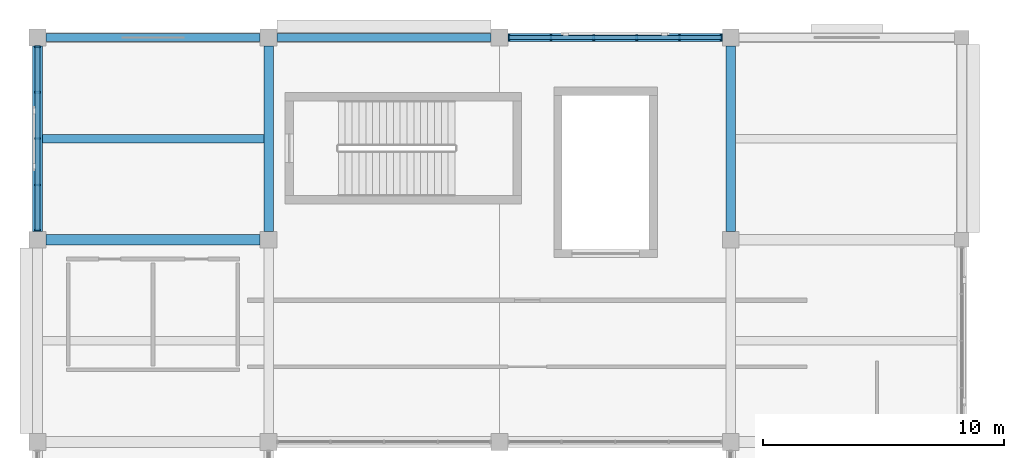
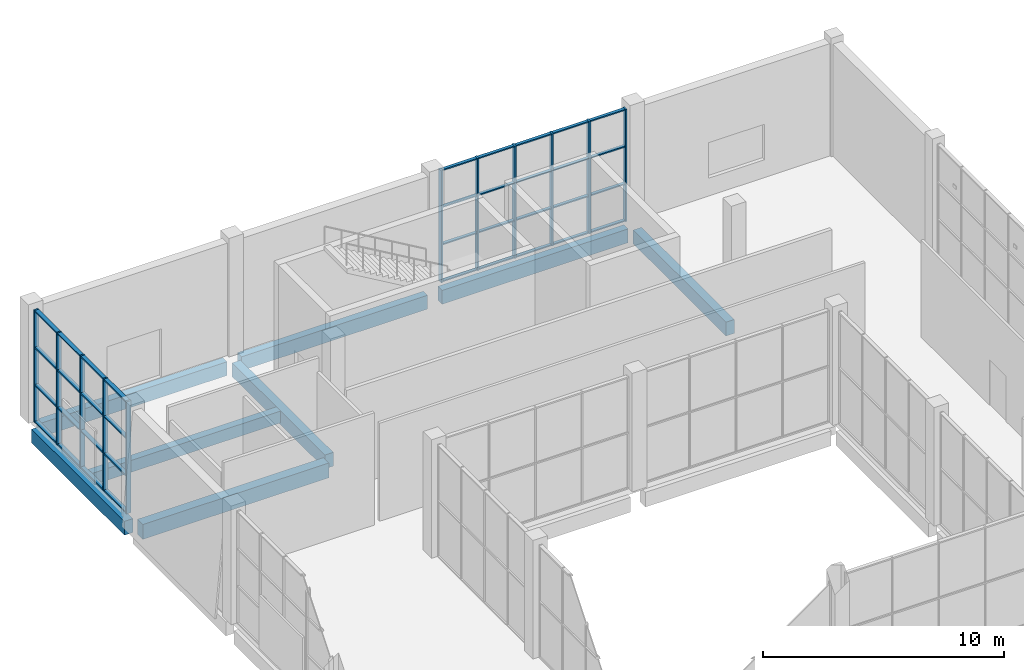
# One storey, part 24 of 84: 19 members, 8 beams, 2 elements without a shape of their own.
"""IFC4 building model written with IfcOpenShell, lengths in metres."""

from ifc_helpers import new_model, si_unit, direction, frame, origin, origin_2d, place, context, subcontext, project, spatial, rectangle, extrude, material, material_profile, profile_set, type_object, element, aggregate, save


model = new_model("IFC4")

# Units and contexts
model_context = context("Model", 3, precision=1e-05, world=origin(), true_north=direction((0.0, 1.0)))
body_context = subcontext(model_context, "Body", "Model", "MODEL_VIEW")
ifc_project = project(units=[si_unit("LENGTHUNIT", "METRE"), si_unit("AREAUNIT", "SQUARE_METRE"), si_unit("VOLUMEUNIT", "CUBIC_METRE"), si_unit("PLANEANGLEUNIT", "RADIAN"), si_unit("MASSUNIT", "GRAM", prefix="KILO")], contexts=[model_context])

# Site, building, storey
site_placement = place(None, origin())
site = spatial("IfcSite", under=ifc_project, at=site_placement, CompositionType="ELEMENT")
building_placement = place(site_placement, origin())
building = spatial("IfcBuilding", under=site, at=building_placement, Name="Shalvenor Court Art Gallery", CompositionType="ELEMENT")
storey_placement = place(building_placement, origin())
storey = spatial("IfcBuildingStorey", under=building, at=storey_placement, Name="L00", CompositionType="ELEMENT", Elevation=0.0)

# Beams
ifc_material_1 = material(Name="Concrete C40/50", Category="concrete")
ifc_material_profile_1 = material_profile(ifc_material_1, rectangle(XDim=0.449951171875, YDim=0.75, at=origin_2d()), Name="RC 450x750")
ifc_profile_set_1 = profile_set([ifc_material_profile_1], Name="Concrete C40/50")
beam_type_1 = type_object("IfcBeamType", Name="B-04", PredefinedType="BEAM", material=ifc_profile_set_1)
beam_1_placement = place(storey_placement, frame((0.35009765625, 114.0, -0.715087890625), z_axis=(1.0, 0.0, 0.0), x_axis=(0.0, 1.0, 0.0)))
element("IfcBeam", 1, at=beam_1_placement, inside=storey, type_object=beam_type_1, Name="L00 Girder BM-L00-B-04-0260", PredefinedType="BEAM", context=body_context, shape_type="SweptSolid", body=[
    extrude(rectangle(XDim=0.449951171875, YDim=0.75, at=origin_2d()), origin(), (0.0, 0.0, 1.0), 8.89990234375),
])
ifc_material_2 = material(Name="Concrete C40/50", Category="concrete")
ifc_material_profile_2 = material_profile(ifc_material_2, rectangle(XDim=0.39990234375, YDim=0.699951171875, at=origin_2d()), Name="RC 400x700")
ifc_profile_set_2 = profile_set([ifc_material_profile_2], Name="Concrete C40/50")
beam_type_2 = type_object("IfcBeamType", Name="B-05", PredefinedType="BEAM", material=ifc_profile_set_2)
for number, where, z_axis, x_axis, name in (
    (2, (0.0, 114.35009765625, -0.68994140625), (0.0, 1.0, 0.0), (-1.0, 0.0, 0.0), "L00 Girder BM-L00-B-05-0009"),
    (3, (9.60009765625, 114.35009765625, -0.68994140625), (0.0, 1.0, 0.0), (-1.0, 0.0, 0.0), "L00 Girder BM-L00-B-05-0017"),
    (4, (28.800048828125, 114.35009765625, -0.68994140625), (0.0, 1.0, 0.0), (-1.0, 0.0, 0.0), "L00 Girder BM-L00-B-05-0031"),
):
    element("IfcBeam", number, at=place(storey_placement, frame(where, z_axis=z_axis, x_axis=x_axis)), inside=storey, type_object=beam_type_2, Name=name, PredefinedType="BEAM", context=body_context, shape_type="SweptSolid", body=[
        extrude(rectangle(XDim=0.39990234375, YDim=0.699951171875, at=origin_2d()), origin(), (0.0, 0.0, 1.0), 7.699951171875),
    ])

# Curtain wall, members
ifc_material_3 = material(Name="Anodised aluminium and low-iron glass curtain wall", Category="aluminium")
curtain_wall_type_1 = type_object("IfcCurtainWallType", Name="CW-5x3-89-57-411", PredefinedType="USERDEFINED", material=ifc_material_3)
curtain_wall_1_placement = place(storey_placement, origin())
curtain_wall_1 = element("IfcCurtainWall", 5, at=curtain_wall_1_placement, inside=storey, type_object=curtain_wall_type_1, Name="L00 V5 Curtain Wall CW-L00-150", ObjectType="CURTAIN WALL", PredefinedType="USERDEFINED")
ifc_material_4 = material(Name="Anodised aluminium mullion", Category="aluminium")
ifc_material_profile_3 = material_profile(ifc_material_4, rectangle(XDim=0.074951171875, YDim=0.219970703125, at=origin_2d()), Name="CWM-04")
ifc_profile_set_3 = profile_set([ifc_material_profile_3], Name="Anodised aluminium mullion")
member_type_1 = type_object("IfcMemberType", Name="CWM-04", PredefinedType="MULLION", material=ifc_profile_set_3)
member_1_placement = place(storey_placement, frame((19.58740234375, 122.39990234375, 0.0), z_axis=(0.0, 0.0, 1.0), x_axis=(1.0, 0.0, 0.0)))
member_1 = element("IfcMember", 6, at=member_1_placement, type_object=member_type_1, Name="CW-5x3-89-57-411 mullion 1", PredefinedType="MULLION", context=body_context, shape_type="SweptSolid", body=[
    extrude(rectangle(XDim=0.074951171875, YDim=0.219970703125, at=origin_2d()), origin(), (0.0, 0.0, 1.0), 5.679931640625),
])
member_2_placement = place(storey_placement, frame((21.330078125, 122.39990234375, 0.0), z_axis=(0.0, 0.0, 1.0), x_axis=(1.0, 0.0, 0.0)))
member_2 = element("IfcMember", 7, at=member_2_placement, type_object=member_type_1, Name="CW-5x3-89-57-411 mullion 2", PredefinedType="MULLION", context=body_context, shape_type="SweptSolid", body=[
    extrude(rectangle(XDim=0.074951171875, YDim=0.219970703125, at=origin_2d()), origin(), (0.0, 0.0, 1.0), 5.679931640625),
])
member_3_placement = place(storey_placement, frame((23.110107421875, 122.39990234375, 0.0), z_axis=(0.0, 0.0, 1.0), x_axis=(1.0, 0.0, 0.0)))
member_3 = element("IfcMember", 8, at=member_3_placement, type_object=member_type_1, Name="CW-5x3-89-57-411 mullion 3", PredefinedType="MULLION", context=body_context, shape_type="SweptSolid", body=[
    extrude(rectangle(XDim=0.074951171875, YDim=0.219970703125, at=origin_2d()), origin(), (0.0, 0.0, 1.0), 5.679931640625),
])
member_4_placement = place(storey_placement, frame((24.889892578125, 122.39990234375, 0.0), z_axis=(0.0, 0.0, 1.0), x_axis=(1.0, 0.0, 0.0)))
member_4 = element("IfcMember", 9, at=member_4_placement, type_object=member_type_1, Name="CW-5x3-89-57-411 mullion 4", PredefinedType="MULLION", context=body_context, shape_type="SweptSolid", body=[
    extrude(rectangle(XDim=0.074951171875, YDim=0.219970703125, at=origin_2d()), origin(), (0.0, 0.0, 1.0), 5.679931640625),
])
member_5_placement = place(storey_placement, frame((26.669921875, 122.39990234375, 0.0), z_axis=(0.0, 0.0, 1.0), x_axis=(1.0, 0.0, 0.0)))
member_5 = element("IfcMember", 10, at=member_5_placement, type_object=member_type_1, Name="CW-5x3-89-57-411 mullion 5", PredefinedType="MULLION", context=body_context, shape_type="SweptSolid", body=[
    extrude(rectangle(XDim=0.074951171875, YDim=0.219970703125, at=origin_2d()), origin(), (0.0, 0.0, 1.0), 5.679931640625),
])
member_6_placement = place(storey_placement, frame((28.41259765625, 122.39990234375, 0.0), z_axis=(0.0, 0.0, 1.0), x_axis=(1.0, 0.0, 0.0)))
member_6 = element("IfcMember", 11, at=member_6_placement, type_object=member_type_1, Name="CW-5x3-89-57-411 mullion 6", PredefinedType="MULLION", context=body_context, shape_type="SweptSolid", body=[
    extrude(rectangle(XDim=0.074951171875, YDim=0.219970703125, at=origin_2d()), origin(), (0.0, 0.0, 1.0), 5.679931640625),
])

ifc_material_5 = material(Name="Anodised aluminium and low-iron glass curtain wall", Category="aluminium")
curtain_wall_type_2 = type_object("IfcCurtainWallType", Name="CW-4x3-77-57-441", PredefinedType="USERDEFINED", material=ifc_material_5)
curtain_wall_2_placement = place(storey_placement, origin())
curtain_wall_2 = element("IfcCurtainWall", 12, at=curtain_wall_2_placement, inside=storey, type_object=curtain_wall_type_2, Name="L00 V5 Curtain Wall CW-L00-158", ObjectType="CURTAIN WALL", PredefinedType="USERDEFINED")
member_7_placement = place(storey_placement, frame((0.0, 114.387451171875, 0.0), z_axis=(0.0, 0.0, 1.0), x_axis=(0.0, 1.0, 0.0)))
member_7 = element("IfcMember", 13, at=member_7_placement, type_object=member_type_1, Name="CW-4x3-77-57-441 mullion 1", PredefinedType="MULLION", context=body_context, shape_type="SweptSolid", body=[
    extrude(rectangle(XDim=0.074951171875, YDim=0.219970703125, at=origin_2d()), origin(), (0.0, 0.0, 1.0), 5.679931640625),
])
member_8_placement = place(storey_placement, frame((0.0, 116.27490234375, 0.0), z_axis=(0.0, 0.0, 1.0), x_axis=(0.0, 1.0, 0.0)))
member_8 = element("IfcMember", 14, at=member_8_placement, type_object=member_type_1, Name="CW-4x3-77-57-441 mullion 2", PredefinedType="MULLION", context=body_context, shape_type="SweptSolid", body=[
    extrude(rectangle(XDim=0.074951171875, YDim=0.219970703125, at=origin_2d()), origin(), (0.0, 0.0, 1.0), 5.679931640625),
])
member_9_placement = place(storey_placement, frame((0.0, 118.199951171875, 0.0), z_axis=(0.0, 0.0, 1.0), x_axis=(0.0, 1.0, 0.0)))
member_9 = element("IfcMember", 15, at=member_9_placement, type_object=member_type_1, Name="CW-4x3-77-57-441 mullion 3", PredefinedType="MULLION", context=body_context, shape_type="SweptSolid", body=[
    extrude(rectangle(XDim=0.074951171875, YDim=0.219970703125, at=origin_2d()), origin(), (0.0, 0.0, 1.0), 5.679931640625),
])
member_10_placement = place(storey_placement, frame((0.0, 120.125, 0.0), z_axis=(0.0, 0.0, 1.0), x_axis=(0.0, 1.0, 0.0)))
member_10 = element("IfcMember", 16, at=member_10_placement, type_object=member_type_1, Name="CW-4x3-77-57-441 mullion 4", PredefinedType="MULLION", context=body_context, shape_type="SweptSolid", body=[
    extrude(rectangle(XDim=0.074951171875, YDim=0.219970703125, at=origin_2d()), origin(), (0.0, 0.0, 1.0), 5.679931640625),
])
member_11_placement = place(storey_placement, frame((0.0, 122.012451171875, 0.0), z_axis=(0.0, 0.0, 1.0), x_axis=(0.0, 1.0, 0.0)))
member_11 = element("IfcMember", 17, at=member_11_placement, type_object=member_type_1, Name="CW-4x3-77-57-441 mullion 5", PredefinedType="MULLION", context=body_context, shape_type="SweptSolid", body=[
    extrude(rectangle(XDim=0.074951171875, YDim=0.219970703125, at=origin_2d()), origin(), (0.0, 0.0, 1.0), 5.679931640625),
])

# Member
ifc_material_6 = material(Name="Anodised aluminium transom", Category="aluminium")
ifc_material_profile_4 = material_profile(ifc_material_6, rectangle(XDim=0.14990234375, YDim=0.06005859375, at=origin_2d()), Name="CWT-01")
ifc_profile_set_4 = profile_set([ifc_material_profile_4], Name="Anodised aluminium transom")
member_type_2 = type_object("IfcMemberType", Name="CWT-01", PredefinedType="USERDEFINED", material=ifc_profile_set_4)
member_12_placement = place(storey_placement, frame((19.58740234375, 122.39990234375, 0.030029296875), z_axis=(1.0, 0.0, 0.0), x_axis=(0.0, 1.0, 0.0)))
member_12 = element("IfcMember", 18, at=member_12_placement, type_object=member_type_2, Name="CW-5x3-89-57-411 transom 1", ObjectType="TRANSOM", PredefinedType="USERDEFINED", context=body_context, shape_type="SweptSolid", body=[
    extrude(rectangle(XDim=0.14990234375, YDim=0.06005859375, at=origin_2d()), origin(), (0.0, 0.0, 1.0), 8.8251953125),
])

member_13_placement = place(storey_placement, frame((19.58740234375, 122.39990234375, 1.893310546875), z_axis=(1.0, 0.0, 0.0), x_axis=(0.0, 1.0, 0.0)))
member_13 = element("IfcMember", 19, at=member_13_placement, type_object=member_type_2, Name="CW-5x3-89-57-411 transom 2", ObjectType="TRANSOM", PredefinedType="USERDEFINED", context=body_context, shape_type="SweptSolid", body=[
    extrude(rectangle(XDim=0.14990234375, YDim=0.06005859375, at=origin_2d()), origin(), (0.0, 0.0, 1.0), 8.8251953125),
])

member_14_placement = place(storey_placement, frame((19.58740234375, 122.39990234375, 3.78662109375), z_axis=(1.0, 0.0, 0.0), x_axis=(0.0, 1.0, 0.0)))
member_14 = element("IfcMember", 20, at=member_14_placement, type_object=member_type_2, Name="CW-5x3-89-57-411 transom 3", ObjectType="TRANSOM", PredefinedType="USERDEFINED", context=body_context, shape_type="SweptSolid", body=[
    extrude(rectangle(XDim=0.14990234375, YDim=0.06005859375, at=origin_2d()), origin(), (0.0, 0.0, 1.0), 8.8251953125),
])

member_15_placement = place(storey_placement, frame((19.58740234375, 122.39990234375, 5.64990234375), z_axis=(1.0, 0.0, 0.0), x_axis=(0.0, 1.0, 0.0)))
member_15 = element("IfcMember", 21, at=member_15_placement, type_object=member_type_2, Name="CW-5x3-89-57-411 transom 4", ObjectType="TRANSOM", PredefinedType="USERDEFINED", context=body_context, shape_type="SweptSolid", body=[
    extrude(rectangle(XDim=0.14990234375, YDim=0.06005859375, at=origin_2d()), origin(), (0.0, 0.0, 1.0), 8.8251953125),
])

aggregate(curtain_wall_1, [member_1, member_2, member_3, member_4, member_5, member_6, member_12, member_13, member_14, member_15])

ifc_material_7 = material(Name="Anodised aluminium transom", Category="aluminium")
ifc_material_profile_5 = material_profile(ifc_material_7, rectangle(XDim=0.18994140625, YDim=0.070068359375, at=origin_2d()), Name="CWT-04")
ifc_profile_set_5 = profile_set([ifc_material_profile_5], Name="Anodised aluminium transom")
member_type_3 = type_object("IfcMemberType", Name="CWT-04", PredefinedType="USERDEFINED", material=ifc_profile_set_5)
member_16_placement = place(storey_placement, frame((0.0, 114.387451171875, 0.034912109375), z_axis=(0.0, 1.0, 0.0), x_axis=(-1.0, 0.0, 0.0)))
member_16 = element("IfcMember", 22, at=member_16_placement, type_object=member_type_3, Name="CW-4x3-77-57-441 transom 1", ObjectType="TRANSOM", PredefinedType="USERDEFINED", context=body_context, shape_type="SweptSolid", body=[
    extrude(rectangle(XDim=0.18994140625, YDim=0.070068359375, at=origin_2d()), origin(), (0.0, 0.0, 1.0), 7.625),
])

member_17_placement = place(storey_placement, frame((0.0, 114.387451171875, 1.893310546875), z_axis=(0.0, 1.0, 0.0), x_axis=(-1.0, 0.0, 0.0)))
member_17 = element("IfcMember", 23, at=member_17_placement, type_object=member_type_3, Name="CW-4x3-77-57-441 transom 2", ObjectType="TRANSOM", PredefinedType="USERDEFINED", context=body_context, shape_type="SweptSolid", body=[
    extrude(rectangle(XDim=0.18994140625, YDim=0.070068359375, at=origin_2d()), origin(), (0.0, 0.0, 1.0), 7.625),
])

member_18_placement = place(storey_placement, frame((0.0, 114.387451171875, 3.78662109375), z_axis=(0.0, 1.0, 0.0), x_axis=(-1.0, 0.0, 0.0)))
member_18 = element("IfcMember", 24, at=member_18_placement, type_object=member_type_3, Name="CW-4x3-77-57-441 transom 3", ObjectType="TRANSOM", PredefinedType="USERDEFINED", context=body_context, shape_type="SweptSolid", body=[
    extrude(rectangle(XDim=0.18994140625, YDim=0.070068359375, at=origin_2d()), origin(), (0.0, 0.0, 1.0), 7.625),
])

member_19_placement = place(storey_placement, frame((0.0, 114.387451171875, 5.64501953125), z_axis=(0.0, 1.0, 0.0), x_axis=(-1.0, 0.0, 0.0)))
member_19 = element("IfcMember", 25, at=member_19_placement, type_object=member_type_3, Name="CW-4x3-77-57-441 transom 4", ObjectType="TRANSOM", PredefinedType="USERDEFINED", context=body_context, shape_type="SweptSolid", body=[
    extrude(rectangle(XDim=0.18994140625, YDim=0.070068359375, at=origin_2d()), origin(), (0.0, 0.0, 1.0), 7.625),
])

aggregate(curtain_wall_2, [member_7, member_8, member_9, member_10, member_11, member_16, member_17, member_18, member_19])

# Beams
ifc_material_8 = material(Name="Concrete C40/50", Category="concrete")
ifc_material_profile_6 = material_profile(ifc_material_8, rectangle(XDim=0.35009765625, YDim=0.60009765625, at=origin_2d()), Name="RC 350x600")
ifc_profile_set_6 = profile_set([ifc_material_profile_6], Name="Concrete C40/50")
beam_type_3 = type_object("IfcBeamType", Name="J-01", PredefinedType="JOIST", material=ifc_profile_set_6)
beam_2_placement = place(storey_placement, frame((0.199951171875, 118.199951171875, -0.639892578125), z_axis=(1.0, 0.0, 0.0), x_axis=(0.0, 1.0, 0.0)))
element("IfcBeam", 26, at=beam_2_placement, inside=storey, type_object=beam_type_3, Name="L00 Secondary Beam JST-L00-J-01-0286", PredefinedType="JOIST", context=body_context, shape_type="SweptSolid", body=[
    extrude(rectangle(XDim=0.35009765625, YDim=0.60009765625, at=origin_2d()), origin(), (0.0, 0.0, 1.0), 9.199951171875),
])
ifc_material_9 = material(Name="Concrete C40/50", Category="concrete")
ifc_material_profile_7 = material_profile(ifc_material_9, rectangle(XDim=0.35009765625, YDim=0.699951171875, at=origin_2d()), Name="RC 350x700")
ifc_profile_set_7 = profile_set([ifc_material_profile_7], Name="Concrete C40/50")
beam_type_4 = type_object("IfcBeamType", Name="SP-01", PredefinedType="SPANDREL", material=ifc_profile_set_7)
beam_3_placement = place(storey_placement, frame((0.35009765625, 122.39990234375, -0.68994140625), z_axis=(1.0, 0.0, 0.0), x_axis=(0.0, 1.0, 0.0)))
element("IfcBeam", 27, at=beam_3_placement, inside=storey, type_object=beam_type_4, Name="L00 Spandrel Girder BM-L00-SP-01-0269", PredefinedType="SPANDREL", context=body_context, shape_type="SweptSolid", body=[
    extrude(rectangle(XDim=0.35009765625, YDim=0.699951171875, at=origin_2d()), origin(), (0.0, 0.0, 1.0), 8.89990234375),
])
beam_4_placement = place(storey_placement, frame((9.949951171875, 122.39990234375, -0.68994140625), z_axis=(1.0, 0.0, 0.0), x_axis=(0.0, 1.0, 0.0)))
element("IfcBeam", 28, at=beam_4_placement, inside=storey, type_object=beam_type_4, Name="L00 Spandrel Girder BM-L00-SP-01-0270", PredefinedType="SPANDREL", context=body_context, shape_type="SweptSolid", body=[
    extrude(rectangle(XDim=0.35009765625, YDim=0.699951171875, at=origin_2d()), origin(), (0.0, 0.0, 1.0), 8.900146484375),
])
beam_5_placement = place(storey_placement, frame((19.550048828125, 122.39990234375, -0.68994140625), z_axis=(1.0, 0.0, 0.0), x_axis=(0.0, 1.0, 0.0)))
element("IfcBeam", 29, at=beam_5_placement, inside=storey, type_object=beam_type_4, Name="L00 Spandrel Girder BM-L00-SP-01-0271", PredefinedType="SPANDREL", context=body_context, shape_type="SweptSolid", body=[
    extrude(rectangle(XDim=0.35009765625, YDim=0.699951171875, at=origin_2d()), origin(), (0.0, 0.0, 1.0), 8.89990234375),
])

save(model, "model.ifc")
